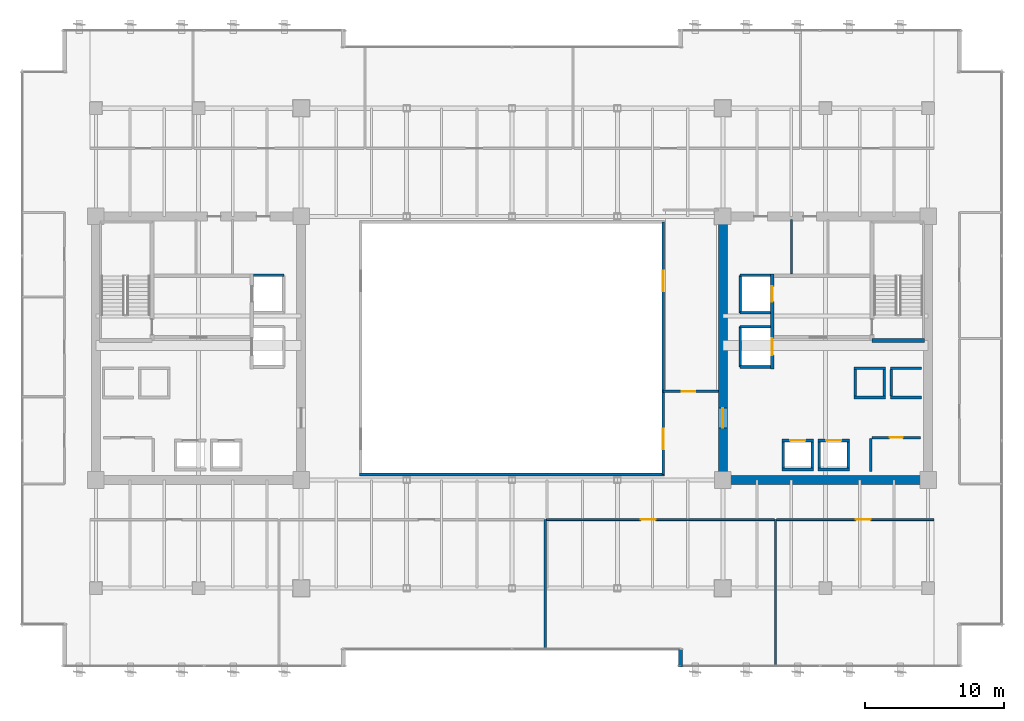
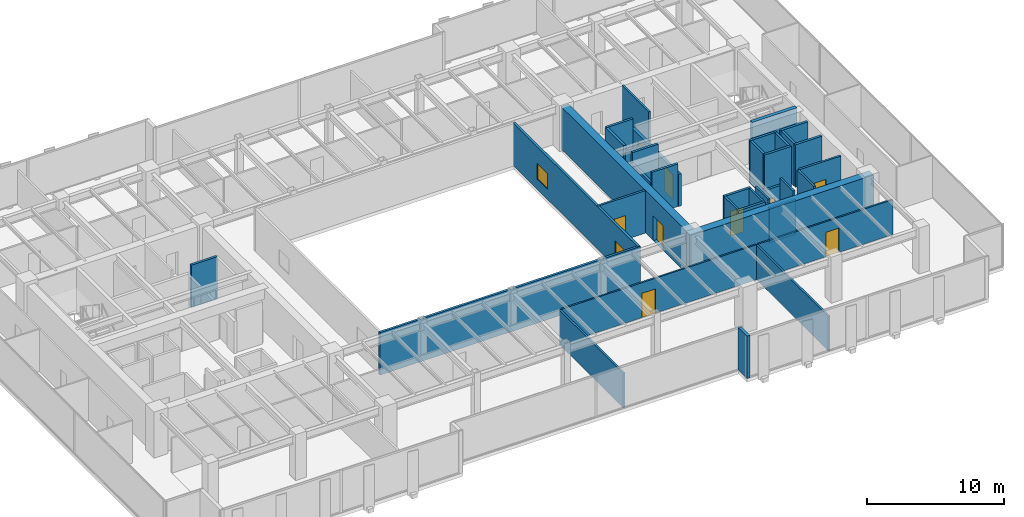
# One storey, part 26 of 34: 37 walls, 9 doors, 2 windows, 11 openings.
"""IFC4 building model written with IfcOpenShell, lengths in metres."""

from ifc_helpers import new_model, si_unit, direction, frame, frame_2d, origin, place, context, subcontext, project, spatial, rectangle, extrude, source, transform, mapped, material, layer, layer_set, type_object, type_shapes, element, fill, save


model = new_model("IFC4")

# Units and contexts
model_context = context("Model", 3, precision=1e-05, world=origin(), true_north=direction((0.0, 1.0)))
body_context = subcontext(model_context, "Body", "Model", "MODEL_VIEW")
ifc_project = project(units=[si_unit("LENGTHUNIT", "METRE"), si_unit("AREAUNIT", "SQUARE_METRE"), si_unit("VOLUMEUNIT", "CUBIC_METRE"), si_unit("PLANEANGLEUNIT", "RADIAN"), si_unit("MASSUNIT", "GRAM", prefix="KILO")], contexts=[model_context])

# Site, building, storey
site_placement = place(None, origin())
site = spatial("IfcSite", under=ifc_project, at=site_placement, CompositionType="ELEMENT")
building_placement = place(site_placement, origin())
building = spatial("IfcBuilding", under=site, at=building_placement, Name="Haelvirn Gate Laboratories", CompositionType="ELEMENT")
storey_placement = place(building_placement, frame((0.0, 0.0, 109.199951171875)))
storey = spatial("IfcBuildingStorey", under=building, at=storey_placement, Name="L26", CompositionType="ELEMENT", Elevation=109.199951171875)

# Walls
ifc_material_1 = material(Name="Thermally-broken bronze aluminium rainscreen & mineral wool", Category="aluminium")
ifc_layer_1 = layer(ifc_material_1, 0.280029296875, Name="EW-TERR-280")
ifc_layer_set_1 = layer_set([ifc_layer_1], Name="Thermally-broken bronze aluminium rainscreen & mineral wool")
wall_type_1 = type_object("IfcWallType", Name="EW-TERR-280", PredefinedType="STANDARD", material=ifc_layer_set_1)
wall_1_placement = place(storey_placement, frame((49.5400390625, 2.587890625, 0.0), z_axis=(0.0, 0.0, 1.0), x_axis=(0.0, -1.0, 0.0)))
element("IfcWall", 1, at=wall_1_placement, inside=storey, type_object=wall_type_1, Name="L26 Atrium Recess Bronze Return Wall 03", PredefinedType="STANDARD", context=body_context, shape_type="SweptSolid", body=[
    extrude(rectangle(XDim=1.287841796875, YDim=0.280029296875, at=frame_2d((0.64404296875, 0.0))), origin(), (0.0, 0.0, 1.0), 3.7900390625),
])
ifc_material_2 = material(Name="Double-layer acoustic gypsum laboratory partition", Category="gypsum")
ifc_layer_2 = layer(ifc_material_2, 0.159912109375, Name="IW-ACOUST-160")
ifc_layer_set_2 = layer_set([ifc_layer_2], Name="Double-layer acoustic gypsum laboratory partition")
wall_type_2 = type_object("IfcWallType", Name="IW-ACOUST-160", PredefinedType="PARTITIONING", material=ifc_layer_set_2)
wall_2_placement = place(storey_placement, frame((39.800048828125, 2.610107421875, 0.0), z_axis=(0.0, 0.0, 1.0), x_axis=(0.0, 1.0, 0.0)))
element("IfcWall", 2, at=wall_2_placement, inside=storey, type_object=wall_type_2, Name="L26 Interior Wall IW-L26-SDIV-02", PredefinedType="PARTITIONING", context=body_context, shape_type="SweptSolid", body=[
    extrude(rectangle(XDim=9.329833984375, YDim=0.159912109375, at=frame_2d((4.6650390625, 0.0))), origin(), (0.0, 0.0, 1.0), 3.074951171875),
])
wall_3_placement = place(storey_placement, frame((56.39990234375, 1.409912109375, 0.0), z_axis=(0.0, 0.0, 1.0), x_axis=(0.0, 1.0, 0.0)))
element("IfcWall", 3, at=wall_3_placement, inside=storey, type_object=wall_type_2, Name="L26 Interior Wall IW-L26-SDIV-03", PredefinedType="PARTITIONING", context=body_context, shape_type="SweptSolid", body=[
    extrude(rectangle(XDim=10.530029296875, YDim=0.159912109375, at=frame_2d((5.26513671875, 0.0))), origin(), (0.0, 0.0, 1.0), 3.074951171875),
])

# Wall, opening, door
ifc_material_3 = material(Name="Fire-rated acoustic gypsum board partition", Category="gypsum")
ifc_layer_3 = layer(ifc_material_3, 0.175048828125, Name="IW-ACOUST-180")
ifc_layer_set_3 = layer_set([ifc_layer_3], Name="Fire-rated acoustic gypsum board partition")
wall_type_3 = type_object("IfcWallType", Name="IW-ACOUST-180", PredefinedType="PARTITIONING", material=ifc_layer_set_3)
wall_4_placement = place(storey_placement, frame((48.300048828125, 21.179931640625, 0.0), z_axis=(0.0, 0.0, 1.0), x_axis=(1.0, 0.0, 0.0)))
wall_4 = element("IfcWall", 4, at=wall_4_placement, inside=storey, type_object=wall_type_3, Name="L26 Interior Wall IW-L26-ASEM-S", PredefinedType="PARTITIONING", context=body_context, shape_type="SweptSolid", body=[
    extrude(rectangle(XDim=3.974853515625, YDim=0.175048828125, at=frame_2d((1.9873046875, 0.0))), origin(), (0.0, 0.0, 1.0), 3.7900390625),
])
opening_1_placement = place(wall_4_placement, frame((1.35009765625, 0.0, 0.0)))
opening_1 = element("IfcOpeningElement", 5, at=opening_1_placement, cuts=wall_4, Name="Opening FD4", PredefinedType="OPENING", context=body_context, shape_type="SweptSolid", body=[
    extrude(rectangle(XDim=0.949951171875, YDim=2.14990234375, at=frame_2d((0.47509765625, 1.074951171875))), frame((0.0, 0.09765625, 0.0), z_axis=(0.0, -1.0, 0.0), x_axis=(1.0, 0.0, 0.0)), (0.0, 0.0, 1.0), 0.195068359375),
])
ifc_material_4 = material(Name="Fire-rated steel SM355 core service door", Category="steel")
door_type_1 = type_object("IfcDoorType", Name="DR-FD-950", OperationType="NOTDEFINED", PredefinedType="DOOR", material=ifc_material_4)
shared_shape_1 = source(origin(), body_context, "Body", "SweptSolid", [
    extrude(rectangle(XDim=0.949951171875, YDim=2.14990234375, at=frame_2d((0.47509765625, 1.074951171875))), frame((0.0, 0.02490234375, 0.0), z_axis=(0.0, -1.0, 0.0), x_axis=(1.0, 0.0, 0.0)), (0.0, 0.0, 1.0), 0.050048828125),
])
type_shapes(door_type_1, [shared_shape_1])
door_1_placement = place(opening_1_placement, origin())
door_1 = element("IfcDoor", 6, at=door_1_placement, inside=storey, type_object=door_type_1, Name="L26 Atrium Bioinformatics Suite Door", OperationType="SINGLE_SWING_LEFT", OverallHeight=2.14990234375, OverallWidth=0.949951171875, PredefinedType="DOOR", context=body_context, shape_type="MappedRepresentation", body=[
    mapped(shared_shape_1, transform((0.0, 0.0, 0.0), scale=1.0)),
])
fill(opening_1, door_1)

# Wall, openings, windows
ifc_material_5 = material(Name="Tempered fire-rated borosilicate glass & anodised aluminium", Category="aluminium")
ifc_layer_4 = layer(ifc_material_5, 0.195068359375, Name="IW-GLAZ-200")
ifc_layer_set_4 = layer_set([ifc_layer_4], Name="Tempered fire-rated borosilicate glass & anodised aluminium")
wall_type_4 = type_object("IfcWallType", Name="IW-GLAZ-200", PredefinedType="SOLIDWALL", material=ifc_layer_set_4)
wall_5_placement = place(storey_placement, frame((48.300048828125, 15.199951171875, 0.0), z_axis=(0.0, 0.0, 1.0), x_axis=(0.0, 1.0, 0.0)))
wall_5 = element("IfcWall", 7, at=wall_5_placement, inside=storey, type_object=wall_type_4, Name="L26 Interior Wall IW-L26-ATRIUM-E", PredefinedType="SOLIDWALL", context=body_context, shape_type="SweptSolid", body=[
    extrude(rectangle(XDim=18.199951171875, YDim=0.195068359375, at=frame_2d((9.10009765625, 0.0))), origin(), (0.0, 0.0, 1.0), 3.7900390625),
])
opening_2_placement = place(wall_5_placement, frame((1.800048828125, 0.0, 0.89990234375)))
opening_2 = element("IfcOpeningElement", 8, at=opening_2_placement, cuts=wall_5, Name="Opening W5", PredefinedType="OPENING", context=body_context, shape_type="SweptSolid", body=[
    extrude(rectangle(XDim=1.5, YDim=1.39990234375, at=frame_2d((0.75, 0.699951171875))), frame((0.0, 0.107421875, 0.0), z_axis=(0.0, -1.0, 0.0), x_axis=(1.0, 0.0, 0.0)), (0.0, 0.0, 1.0), 0.215087890625),
])
opening_3_placement = place(wall_5_placement, frame((13.199951171875, 0.0, 0.89990234375)))
opening_3 = element("IfcOpeningElement", 9, at=opening_3_placement, cuts=wall_5, Name="Opening W5", PredefinedType="OPENING", context=body_context, shape_type="SweptSolid", body=[
    extrude(rectangle(XDim=1.5, YDim=1.39990234375, at=frame_2d((0.75, 0.699951171875))), frame((0.0, 0.107421875, 0.0), z_axis=(0.0, -1.0, 0.0), x_axis=(1.0, 0.0, 0.0)), (0.0, 0.0, 1.0), 0.215087890625),
])
ifc_material_6 = material(Name="Fire-rated EI 120 borosilicate atrium vision glazing", Category="glass")
window_type = type_object("IfcWindowType", Name="WN-ATR-1500", PartitioningType="SINGLE_PANEL", PredefinedType="WINDOW", material=ifc_material_6)
shared_shape_2 = source(origin(), body_context, "Body", "SweptSolid", [
    extrude(rectangle(XDim=1.5, YDim=1.39990234375, at=frame_2d((0.75, 0.699951171875))), frame((0.0, 0.030029296875, 0.0), z_axis=(0.0, -1.0, 0.0), x_axis=(1.0, 0.0, 0.0)), (0.0, 0.0, 1.0), 0.06005859375),
])
type_shapes(window_type, [shared_shape_2])
window_1_placement = place(opening_2_placement, origin())
window_1 = element("IfcWindow", 10, at=window_1_placement, inside=storey, type_object=window_type, Name="L26 Atrium Observation Window 1", OverallHeight=1.39990234375, OverallWidth=1.5, PartitioningType="SINGLE_PANEL", PredefinedType="WINDOW", context=body_context, shape_type="MappedRepresentation", body=[
    mapped(shared_shape_2, transform((0.0, 0.0, 0.0), scale=1.0)),
])
fill(opening_2, window_1)
window_2_placement = place(opening_3_placement, origin())
window_2 = element("IfcWindow", 11, at=window_2_placement, inside=storey, type_object=window_type, Name="L26 Atrium Observation Window 2", OverallHeight=1.39990234375, OverallWidth=1.5, PartitioningType="SINGLE_PANEL", PredefinedType="WINDOW", context=body_context, shape_type="MappedRepresentation", body=[
    mapped(shared_shape_2, transform((0.0, 0.0, 0.0), scale=1.0)),
])
fill(opening_3, window_2)

# Wall
wall_6_placement = place(storey_placement, frame((26.39990234375, 15.199951171875, 0.0), z_axis=(0.0, 0.0, 1.0), x_axis=(1.0, 0.0, 0.0)))
element("IfcWall", 12, at=wall_6_placement, inside=storey, type_object=wall_type_4, Name="L26 Interior Wall IW-L26-ATRIUM-S", PredefinedType="SOLIDWALL", context=body_context, shape_type="SweptSolid", body=[
    extrude(rectangle(XDim=22.0, YDim=0.195068359375, at=frame_2d((11.0, 0.0))), origin(), (0.0, 0.0, 1.0), 3.7900390625),
])

# Wall, opening, door
ifc_material_7 = material(Name="Acoustic mineral-wool gypsum board partition", Category="gypsum")
ifc_layer_5 = layer(ifc_material_7, 0.139892578125, Name="IW-PART-140")
ifc_layer_set_5 = layer_set([ifc_layer_5], Name="Acoustic mineral-wool gypsum board partition")
wall_type_5 = type_object("IfcWallType", Name="IW-PART-140", PredefinedType="PARTITIONING", material=ifc_layer_set_5)
wall_7_placement = place(storey_placement, frame((39.8798828125, 11.93994140625, 0.0), z_axis=(0.0, 0.0, 1.0), x_axis=(1.0, 0.0, 0.0)))
wall_7 = element("IfcWall", 13, at=wall_7_placement, inside=storey, type_object=wall_type_5, Name="L26 Interior Wall IW-L26-SCORR-03", PredefinedType="PARTITIONING", context=body_context, shape_type="SweptSolid", body=[
    extrude(rectangle(XDim=16.440185546875, YDim=0.139892578125, at=frame_2d((8.22021484375, 0.0))), origin(), (0.0, 0.0, 1.0), 3.125),
])
opening_4_placement = place(wall_7_placement, frame((6.79150390625, 0.0, 0.0)))
opening_4 = element("IfcOpeningElement", 14, at=opening_4_placement, cuts=wall_7, Name="Opening D1", PredefinedType="OPENING", context=body_context, shape_type="SweptSolid", body=[
    extrude(rectangle(XDim=1.10009765625, YDim=2.179931640625, at=frame_2d((0.550048828125, 1.08984375))), frame((0.0, 0.080078125, 0.0), z_axis=(0.0, -1.0, 0.0), x_axis=(1.0, 0.0, 0.0)), (0.0, 0.0, 1.0), 0.159912109375),
])
ifc_material_8 = material(Name="Vision-panel acoustic solid-core timber lab door", Category="wood")
door_type_2 = type_object("IfcDoorType", Name="DR-LAB-1100", OperationType="NOTDEFINED", PredefinedType="DOOR", material=ifc_material_8)
shared_shape_3 = source(origin(), body_context, "Body", "SweptSolid", [
    extrude(rectangle(XDim=1.10009765625, YDim=2.179931640625, at=frame_2d((0.550048828125, 1.08984375))), frame((0.0, 0.02490234375, 0.0), z_axis=(0.0, -1.0, 0.0), x_axis=(1.0, 0.0, 0.0)), (0.0, 0.0, 1.0), 0.050048828125),
])
type_shapes(door_type_2, [shared_shape_3])
door_2_placement = place(opening_4_placement, origin())
door_2 = element("IfcDoor", 15, at=door_2_placement, inside=storey, type_object=door_type_2, Name="L26 Analytical Instrument Suite Door S3", OperationType="SINGLE_SWING_LEFT", OverallHeight=2.179931640625, OverallWidth=1.10009765625, PredefinedType="DOOR", context=body_context, shape_type="MappedRepresentation", body=[
    mapped(shared_shape_3, transform((0.0, 0.0, 0.0), scale=1.0)),
])
fill(opening_4, door_2)

wall_8_placement = place(storey_placement, frame((56.47998046875, 11.93994140625, 0.0), z_axis=(0.0, 0.0, 1.0), x_axis=(1.0, 0.0, 0.0)))
wall_8 = element("IfcWall", 16, at=wall_8_placement, inside=storey, type_object=wall_type_5, Name="L26 Interior Wall IW-L26-SCORR-04", PredefinedType="PARTITIONING", context=body_context, shape_type="SweptSolid", body=[
    extrude(rectangle(XDim=11.340087890625, YDim=0.139892578125, at=frame_2d((5.669921875, 0.0))), origin(), (0.0, 0.0, 1.0), 3.125),
])
opening_5_placement = place(wall_8_placement, frame((5.6923828125, 0.0, 0.0)))
opening_5 = element("IfcOpeningElement", 17, at=opening_5_placement, cuts=wall_8, Name="Opening D1", PredefinedType="OPENING", context=body_context, shape_type="SweptSolid", body=[
    extrude(rectangle(XDim=1.10009765625, YDim=2.179931640625, at=frame_2d((0.550048828125, 1.08984375))), frame((0.0, 0.080078125, 0.0), z_axis=(0.0, -1.0, 0.0), x_axis=(1.0, 0.0, 0.0)), (0.0, 0.0, 1.0), 0.159912109375),
])
door_3_placement = place(opening_5_placement, origin())
door_3 = element("IfcDoor", 18, at=door_3_placement, inside=storey, type_object=door_type_2, Name="L26 Cleanroom Metrology Suite Door S4", OperationType="SINGLE_SWING_RIGHT", OverallHeight=2.179931640625, OverallWidth=1.10009765625, PredefinedType="DOOR", context=body_context, shape_type="MappedRepresentation", body=[
    mapped(shared_shape_3, transform((0.0, 0.0, 0.0), scale=1.0)),
])
fill(opening_5, door_3)

# Walls
ifc_material_9 = material(Name="Cement-board restroom plumbing chase wall", Category="gypsum")
ifc_layer_6 = layer(ifc_material_9, 0.155029296875, Name="IW-PLUMB-160")
ifc_layer_set_6 = layer_set([ifc_layer_6], Name="Cement-board restroom plumbing chase wall")
wall_type_6 = type_object("IfcWallType", Name="IW-PLUMB-160", PredefinedType="PLUMBINGWALL", material=ifc_layer_set_6)
wall_9_placement = place(storey_placement, frame((57.56005859375, 29.64990234375, 0.0), z_axis=(0.0, 0.0, 1.0), x_axis=(0.0, 1.0, 0.0)))
element("IfcWall", 19, at=wall_9_placement, inside=storey, type_object=wall_type_6, Name="L26 Interior Wall IW-L26-E-CDIV-1", PredefinedType="PLUMBINGWALL", context=body_context, shape_type="SweptSolid", body=[
    extrude(rectangle(XDim=3.93017578125, YDim=0.155029296875, at=frame_2d((1.965087890625, 0.0))), origin(), (0.0, 0.0, 1.0), 3.7900390625),
])
ifc_material_10 = material(Name="Concrete C40/50", Category="concrete")
ifc_layer_7 = layer(ifc_material_10, 0.179931640625, Name="IW-SHAFT-180")
ifc_layer_set_7 = layer_set([ifc_layer_7], Name="Concrete C40/50")
wall_type_7 = type_object("IfcWallType", Name="IW-SHAFT-180", PredefinedType="SOLIDWALL", material=ifc_layer_set_7)
for number, where, z_axis, x_axis, name in (
    (20, (59.550048828125, 15.64990234375, 0.0), (0.0, 0.0, 1.0), (0.0, 1.0, 0.0), "L26 Interior Wall IW-L26-PL7-SD"),
    (21, (61.64990234375, 15.64990234375, 0.0), (0.0, 0.0, 1.0), (0.0, 1.0, 0.0), "L26 Interior Wall IW-L26-PL7-SDE"),
    (22, (56.949951171875, 15.64990234375, 0.0), (0.0, 0.0, 1.0), (0.0, 1.0, 0.0), "L26 Interior Wall IW-L26-PL8-SD"),
    (23, (59.050048828125, 15.64990234375, 0.0), (0.0, 0.0, 1.0), (0.0, 1.0, 0.0), "L26 Interior Wall IW-L26-PL8-SDE"),
):
    element("IfcWall", number, at=place(storey_placement, frame(where, z_axis=z_axis, x_axis=x_axis)), inside=storey, type_object=wall_type_7, Name=name, PredefinedType="SOLIDWALL", context=body_context, shape_type="SweptSolid", body=[
        extrude(rectangle(XDim=1.900146484375, YDim=0.179931640625, at=frame_2d((0.9501953125, 0.0))), origin(), (0.0, 0.0, 1.0), 3.7900390625),
    ])
for number, where, z_axis, x_axis, name in (
    (24, (64.75, 20.85009765625, 0.0), (0.0, 0.0, 1.0), (0.0, 1.0, 0.0), "L26 Interior Wall IW-L26-PL11-SD"),
    (25, (62.14990234375, 20.85009765625, 0.0), (0.0, 0.0, 1.0), (0.0, 1.0, 0.0), "L26 Interior Wall IW-L26-PL12-SD"),
    (26, (64.25, 20.85009765625, 0.0), (0.0, 0.0, 1.0), (0.0, 1.0, 0.0), "L26 Interior Wall IW-L26-PL12-SDE"),
):
    element("IfcWall", number, at=place(storey_placement, frame(where, z_axis=z_axis, x_axis=x_axis)), inside=storey, type_object=wall_type_7, Name=name, PredefinedType="SOLIDWALL", context=body_context, shape_type="SweptSolid", body=[
        extrude(rectangle(XDim=1.89990234375, YDim=0.179931640625, at=frame_2d((0.949951171875, 0.0))), origin(), (0.0, 0.0, 1.0), 3.7900390625),
    ])

# Wall, opening, door
wall_10_placement = place(storey_placement, frame((63.35009765625, 17.85009765625, 0.0), z_axis=(0.0, 0.0, 1.0), x_axis=(1.0, 0.0, 0.0)))
wall_10 = element("IfcWall", 27, at=wall_10_placement, inside=storey, type_object=wall_type_7, Name="L26 Interior Wall IW-L26-E-FREED-LN-1", PredefinedType="SOLIDWALL", context=body_context, shape_type="SweptSolid", body=[
    extrude(rectangle(XDim=3.5, YDim=0.179931640625, at=frame_2d((1.75, 0.0))), origin(), (0.0, 0.0, 1.0), 3.7900390625),
])
opening_6_placement = place(wall_10_placement, frame((1.27490234375, 0.0, 0.0)))
opening_6 = element("IfcOpeningElement", 28, at=opening_6_placement, cuts=wall_10, Name="Opening FD4", PredefinedType="OPENING", context=body_context, shape_type="SweptSolid", body=[
    extrude(rectangle(XDim=0.949951171875, YDim=2.14990234375, at=frame_2d((0.47509765625, 1.074951171875))), frame((0.0, 0.10009765625, 0.0), z_axis=(0.0, -1.0, 0.0), x_axis=(1.0, 0.0, 0.0)), (0.0, 0.0, 1.0), 0.199951171875),
])
door_4_placement = place(opening_6_placement, origin())
door_4 = element("IfcDoor", 29, at=door_4_placement, inside=storey, type_object=door_type_1, Name="L26 Core Calibration Room Door", OperationType="SINGLE_SWING_LEFT", OverallHeight=2.14990234375, OverallWidth=0.949951171875, PredefinedType="DOOR", context=body_context, shape_type="MappedRepresentation", body=[
    mapped(shared_shape_1, transform((0.0, 0.0, 0.0), scale=1.0)),
])
fill(opening_6, door_4)

# Walls
wall_11_placement = place(storey_placement, frame((63.260009765625, 15.39990234375, 0.0), z_axis=(0.0, 0.0, 1.0), x_axis=(0.0, 1.0, 0.0)))
element("IfcWall", 30, at=wall_11_placement, inside=storey, type_object=wall_type_7, Name="L26 Interior Wall IW-L26-E-FREED-LE-1", PredefinedType="SOLIDWALL", context=body_context, shape_type="SweptSolid", body=[
    extrude(rectangle(XDim=2.400146484375, YDim=0.179931640625, at=frame_2d((1.2001953125, 0.0))), origin(), (0.0, 0.0, 1.0), 3.7900390625),
])
ifc_layer_8 = layer(ifc_material_10, 0.199951171875, Name="IW-SHAFT-200")
ifc_layer_set_8 = layer_set([ifc_layer_8], Name="Concrete C40/50")
wall_type_8 = type_object("IfcWallType", Name="IW-SHAFT-200", PredefinedType="SOLIDWALL", material=ifc_layer_set_8)
wall_12_placement = place(storey_placement, frame((18.760009765625, 29.550048828125, 0.0), z_axis=(0.0, 0.0, 1.0), x_axis=(1.0, 0.0, 0.0)))
element("IfcWall", 31, at=wall_12_placement, inside=storey, type_object=wall_type_8, Name="L26 Interior Wall IW-L26-FL1-N", PredefinedType="SOLIDWALL", context=body_context, shape_type="SweptSolid", body=[
    extrude(rectangle(XDim=2.18994140625, YDim=0.199951171875, at=frame_2d((1.094970703125, 0.0))), origin(), (0.0, 0.0, 1.0), 3.7900390625),
])

# Wall, opening, door
wall_13_placement = place(storey_placement, frame((59.469970703125, 17.64990234375, 0.0), z_axis=(0.0, 0.0, 1.0), x_axis=(1.0, 0.0, 0.0)))
wall_13 = element("IfcWall", 32, at=wall_13_placement, inside=storey, type_object=wall_type_8, Name="L26 Interior Wall IW-L26-PL7-FR", PredefinedType="SOLIDWALL", context=body_context, shape_type="SweptSolid", body=[
    extrude(rectangle(XDim=2.260009765625, YDim=0.199951171875, at=frame_2d((1.1298828125, 0.0))), origin(), (0.0, 0.0, 1.0), 3.125),
])
opening_7_placement = place(wall_13_placement, frame((0.580078125, 0.0, 0.0)))
opening_7 = element("IfcOpeningElement", 33, at=opening_7_placement, cuts=wall_13, Name="Opening LD2", PredefinedType="OPENING", context=body_context, shape_type="SweptSolid", body=[
    extrude(rectangle(XDim=1.10009765625, YDim=2.219970703125, at=frame_2d((0.550048828125, 1.10986328125))), frame((0.0, 0.10986328125, 0.0), z_axis=(0.0, -1.0, 0.0), x_axis=(1.0, 0.0, 0.0)), (0.0, 0.0, 1.0), 0.219970703125),
])
ifc_material_11 = material(Name="Bronze stainless 316L sliding lift landing door")
door_type_3 = type_object("IfcDoorType", Name="DR-LD-1100", OperationType="NOTDEFINED", PredefinedType="USERDEFINED", material=ifc_material_11)
shared_shape_4 = source(origin(), body_context, "Body", "SweptSolid", [
    extrude(rectangle(XDim=1.10009765625, YDim=2.219970703125, at=frame_2d((0.550048828125, 1.10986328125))), frame((0.0, 0.02490234375, 0.0), z_axis=(0.0, -1.0, 0.0), x_axis=(1.0, 0.0, 0.0)), (0.0, 0.0, 1.0), 0.050048828125),
])
type_shapes(door_type_3, [shared_shape_4])
door_5_placement = place(opening_7_placement, origin())
door_5 = element("IfcDoor", 34, at=door_5_placement, inside=storey, type_object=door_type_3, Name="L26 Passenger Lift PL7 Landing Door", ObjectType="LANDING_DOOR", OperationType="SLIDING_TO_LEFT", OverallHeight=2.219970703125, OverallWidth=1.10009765625, PredefinedType="USERDEFINED", context=body_context, shape_type="MappedRepresentation", body=[
    mapped(shared_shape_4, transform((0.0, 0.0, 0.0), scale=1.0)),
])
fill(opening_7, door_5)

# Wall
wall_14_placement = place(storey_placement, frame((59.469970703125, 15.550048828125, 0.0), z_axis=(0.0, 0.0, 1.0), x_axis=(1.0, 0.0, 0.0)))
element("IfcWall", 35, at=wall_14_placement, inside=storey, type_object=wall_type_8, Name="L26 Interior Wall IW-L26-PL7-BK", PredefinedType="SOLIDWALL", context=body_context, shape_type="SweptSolid", body=[
    extrude(rectangle(XDim=2.260009765625, YDim=0.199951171875, at=frame_2d((1.1298828125, 0.0))), origin(), (0.0, 0.0, 1.0), 3.125),
])

# Wall, opening, door
wall_15_placement = place(storey_placement, frame((56.8701171875, 17.64990234375, 0.0), z_axis=(0.0, 0.0, 1.0), x_axis=(1.0, 0.0, 0.0)))
wall_15 = element("IfcWall", 36, at=wall_15_placement, inside=storey, type_object=wall_type_8, Name="L26 Interior Wall IW-L26-PL8-FR", PredefinedType="SOLIDWALL", context=body_context, shape_type="SweptSolid", body=[
    extrude(rectangle(XDim=2.259765625, YDim=0.199951171875, at=frame_2d((1.1298828125, 0.0))), origin(), (0.0, 0.0, 1.0), 3.7900390625),
])
opening_8_placement = place(wall_15_placement, frame((0.580078125, 0.0, 0.0)))
opening_8 = element("IfcOpeningElement", 37, at=opening_8_placement, cuts=wall_15, Name="Opening LD2", PredefinedType="OPENING", context=body_context, shape_type="SweptSolid", body=[
    extrude(rectangle(XDim=1.10009765625, YDim=2.219970703125, at=frame_2d((0.550048828125, 1.10986328125))), frame((0.0, 0.10986328125, 0.0), z_axis=(0.0, -1.0, 0.0), x_axis=(1.0, 0.0, 0.0)), (0.0, 0.0, 1.0), 0.219970703125),
])
door_6_placement = place(opening_8_placement, origin())
door_6 = element("IfcDoor", 38, at=door_6_placement, inside=storey, type_object=door_type_3, Name="L26 Passenger Lift PL8 Landing Door", ObjectType="LANDING_DOOR", OperationType="SLIDING_TO_RIGHT", OverallHeight=2.219970703125, OverallWidth=1.10009765625, PredefinedType="USERDEFINED", context=body_context, shape_type="MappedRepresentation", body=[
    mapped(shared_shape_4, transform((0.0, 0.0, 0.0), scale=1.0)),
])
fill(opening_8, door_6)

# Walls
wall_16_placement = place(storey_placement, frame((56.8701171875, 15.550048828125, 0.0), z_axis=(0.0, 0.0, 1.0), x_axis=(1.0, 0.0, 0.0)))
element("IfcWall", 39, at=wall_16_placement, inside=storey, type_object=wall_type_8, Name="L26 Interior Wall IW-L26-PL8-BK", PredefinedType="SOLIDWALL", context=body_context, shape_type="SweptSolid", body=[
    extrude(rectangle(XDim=2.259765625, YDim=0.199951171875, at=frame_2d((1.1298828125, 0.0))), origin(), (0.0, 0.0, 1.0), 3.7900390625),
])
for number, where, z_axis, x_axis, name in (
    (40, (64.669921875, 20.75, 0.0), (0.0, 0.0, 1.0), (1.0, 0.0, 0.0), "L26 Interior Wall IW-L26-PL11-FR"),
    (41, (64.669921875, 22.85009765625, 0.0), (0.0, 0.0, 1.0), (1.0, 0.0, 0.0), "L26 Interior Wall IW-L26-PL11-BK"),
    (42, (62.070068359375, 20.75, 0.0), (0.0, 0.0, 1.0), (1.0, 0.0, 0.0), "L26 Interior Wall IW-L26-PL12-FR"),
    (43, (62.070068359375, 22.85009765625, 0.0), (0.0, 0.0, 1.0), (1.0, 0.0, 0.0), "L26 Interior Wall IW-L26-PL12-BK"),
):
    element("IfcWall", number, at=place(storey_placement, frame(where, z_axis=z_axis, x_axis=x_axis)), inside=storey, type_object=wall_type_8, Name=name, PredefinedType="SOLIDWALL", context=body_context, shape_type="SweptSolid", body=[
        extrude(rectangle(XDim=2.260009765625, YDim=0.199951171875, at=frame_2d((1.1298828125, 0.0))), origin(), (0.0, 0.0, 1.0), 3.7900390625),
    ])
wall_17_placement = place(storey_placement, frame((53.85009765625, 26.85009765625, 0.0), z_axis=(0.0, 0.0, 1.0), x_axis=(0.0, 1.0, 0.0)))
element("IfcWall", 44, at=wall_17_placement, inside=storey, type_object=wall_type_8, Name="L26 Interior Wall IW-L26-FL2-BK", PredefinedType="SOLIDWALL", context=body_context, shape_type="SweptSolid", body=[
    extrude(rectangle(XDim=2.699951171875, YDim=0.199951171875, at=frame_2d((1.35009765625, 0.0))), origin(), (0.0, 0.0, 1.0), 3.7900390625),
])
wall_18_placement = place(storey_placement, frame((53.85009765625, 29.550048828125, 0.0), z_axis=(0.0, 0.0, 1.0), x_axis=(1.0, 0.0, 0.0)))
element("IfcWall", 45, at=wall_18_placement, inside=storey, type_object=wall_type_8, Name="L26 Interior Wall IW-L26-FL2-N", PredefinedType="SOLIDWALL", context=body_context, shape_type="SweptSolid", body=[
    extrude(rectangle(XDim=2.18994140625, YDim=0.199951171875, at=frame_2d((1.094970703125, 0.0))), origin(), (0.0, 0.0, 1.0), 3.7900390625),
])
wall_19_placement = place(storey_placement, frame((53.85009765625, 26.85009765625, 0.0), z_axis=(0.0, 0.0, 1.0), x_axis=(1.0, 0.0, 0.0)))
element("IfcWall", 46, at=wall_19_placement, inside=storey, type_object=wall_type_8, Name="L26 Interior Wall IW-L26-FL2-S", PredefinedType="SOLIDWALL", context=body_context, shape_type="SweptSolid", body=[
    extrude(rectangle(XDim=2.18994140625, YDim=0.199951171875, at=frame_2d((1.094970703125, 0.0))), origin(), (0.0, 0.0, 1.0), 3.18701171875),
])
wall_20_placement = place(storey_placement, frame((53.85009765625, 22.949951171875, 0.0), z_axis=(0.0, 0.0, 1.0), x_axis=(0.0, 1.0, 0.0)))
element("IfcWall", 47, at=wall_20_placement, inside=storey, type_object=wall_type_8, Name="L26 Interior Wall IW-L26-SL2-BK", PredefinedType="SOLIDWALL", context=body_context, shape_type="SweptSolid", body=[
    extrude(rectangle(XDim=2.900146484375, YDim=0.199951171875, at=frame_2d((1.4501953125, 0.0))), origin(), (0.0, 0.0, 1.0), 2.875),
])
for number, where, z_axis, x_axis, name in (
    (48, (53.85009765625, 25.85009765625, 0.0), (0.0, 0.0, 1.0), (1.0, 0.0, 0.0), "L26 Interior Wall IW-L26-SL2-N"),
    (49, (53.85009765625, 22.949951171875, 0.0), (0.0, 0.0, 1.0), (1.0, 0.0, 0.0), "L26 Interior Wall IW-L26-SL2-S"),
):
    element("IfcWall", number, at=place(storey_placement, frame(where, z_axis=z_axis, x_axis=x_axis)), inside=storey, type_object=wall_type_8, Name=name, PredefinedType="SOLIDWALL", context=body_context, shape_type="SweptSolid", body=[
        extrude(rectangle(XDim=2.18994140625, YDim=0.199951171875, at=frame_2d((1.094970703125, 0.0))), origin(), (0.0, 0.0, 1.0), 3.7900390625),
    ])

# Wall, openings, doors
ifc_layer_9 = layer(ifc_material_10, 0.239990234375, Name="IW-SHAFT-240")
ifc_layer_set_9 = layer_set([ifc_layer_9], Name="Concrete C40/50")
wall_type_9 = type_object("IfcWallType", Name="IW-SHAFT-240", PredefinedType="SOLIDWALL", material=ifc_layer_set_9)
wall_21_placement = place(storey_placement, frame((56.159912109375, 22.800048828125, 0.0), z_axis=(0.0, 0.0, 1.0), x_axis=(0.0, 1.0, 0.0)))
wall_21 = element("IfcWall", 50, at=wall_21_placement, inside=storey, type_object=wall_type_9, Name="L26 Interior Wall IW-L26-E-FF-E", PredefinedType="SOLIDWALL", context=body_context, shape_type="SweptSolid", body=[
    extrude(rectangle(XDim=6.849853515625, YDim=0.239990234375, at=frame_2d((3.4248046875, 0.0))), origin(), (0.0, 0.0, 1.0), 2.875),
])
opening_9_placement = place(wall_21_placement, frame((4.85009765625, 0.0, 0.0)))
opening_9 = element("IfcOpeningElement", 51, at=opening_9_placement, cuts=wall_21, Name="Opening LD2", PredefinedType="OPENING", context=body_context, shape_type="SweptSolid", body=[
    extrude(rectangle(XDim=1.10009765625, YDim=2.219970703125, at=frame_2d((0.550048828125, 1.10986328125))), frame((0.0, 0.1298828125, 0.0), z_axis=(0.0, -1.0, 0.0), x_axis=(1.0, 0.0, 0.0)), (0.0, 0.0, 1.0), 0.260009765625),
])
opening_10_placement = place(wall_21_placement, frame((1.0, 0.0, 0.0)))
opening_10 = element("IfcOpeningElement", 52, at=opening_10_placement, cuts=wall_21, Name="Opening LD1", PredefinedType="OPENING", context=body_context, shape_type="SweptSolid", body=[
    extrude(rectangle(XDim=1.199951171875, YDim=2.219970703125, at=frame_2d((0.60009765625, 1.10986328125))), frame((0.0, 0.1298828125, 0.0), z_axis=(0.0, -1.0, 0.0), x_axis=(1.0, 0.0, 0.0)), (0.0, 0.0, 1.0), 0.260009765625),
])
door_7_placement = place(opening_9_placement, origin())
door_7 = element("IfcDoor", 53, at=door_7_placement, inside=storey, type_object=door_type_3, Name="L26 Firefighting Lift FL2 Landing Door", ObjectType="LANDING_DOOR", OperationType="SLIDING_TO_RIGHT", OverallHeight=2.219970703125, OverallWidth=1.10009765625, PredefinedType="USERDEFINED", context=body_context, shape_type="MappedRepresentation", body=[
    mapped(shared_shape_4, transform((0.0, 0.0, 0.0), scale=1.0)),
])
fill(opening_9, door_7)
ifc_material_12 = material(Name="Stainless steel 316L sliding goods landing door", Category="steel")
door_type_4 = type_object("IfcDoorType", Name="DR-LD-1200", OperationType="NOTDEFINED", PredefinedType="USERDEFINED", material=ifc_material_12)
shared_shape_5 = source(origin(), body_context, "Body", "SweptSolid", [
    extrude(rectangle(XDim=1.199951171875, YDim=2.219970703125, at=frame_2d((0.60009765625, 1.10986328125))), frame((0.0, 0.02490234375, 0.0), z_axis=(0.0, -1.0, 0.0), x_axis=(1.0, 0.0, 0.0)), (0.0, 0.0, 1.0), 0.050048828125),
])
type_shapes(door_type_4, [shared_shape_5])
door_8_placement = place(opening_10_placement, origin())
door_8 = element("IfcDoor", 54, at=door_8_placement, inside=storey, type_object=door_type_4, Name="L26 Service Lift SL2 Landing Door", ObjectType="LANDING_DOOR", OperationType="SLIDING_TO_LEFT", OverallHeight=2.219970703125, OverallWidth=1.199951171875, PredefinedType="USERDEFINED", context=body_context, shape_type="MappedRepresentation", body=[
    mapped(shared_shape_5, transform((0.0, 0.0, 0.0), scale=1.0)),
])
fill(opening_10, door_8)

# Wall
ifc_material_13 = material(Name="Concrete C60/75", Category="concrete")
ifc_layer_10 = layer(ifc_material_13, 0.64990234375, Name="SW-CORE-650")
ifc_layer_set_10 = layer_set([ifc_layer_10], Name="Concrete C60/75")
wall_type_10 = type_object("IfcWallType", Name="SW-CORE-650", PredefinedType="SHEAR", material=ifc_layer_set_10)
wall_22_placement = place(storey_placement, frame((52.27490234375, 14.800048828125, 0.0), z_axis=(0.0, 0.0, 1.0), x_axis=(1.0, 0.0, 0.0)))
element("IfcWall", 55, at=wall_22_placement, inside=storey, type_object=wall_type_10, Name="L26 E Core Shear Wall S", PredefinedType="SHEAR", context=body_context, shape_type="SweptSolid", body=[
    extrude(rectangle(XDim=15.4501953125, YDim=0.64990234375, at=frame_2d((7.72509765625, 0.0))), origin(), (0.0, 0.0, 1.0), 3.7900390625),
])

# Wall, opening, door
wall_23_placement = place(storey_placement, frame((52.60009765625, 15.125, 0.0), z_axis=(0.0, 0.0, 1.0), x_axis=(0.0, 1.0, 0.0)))
wall_23 = element("IfcWall", 56, at=wall_23_placement, inside=storey, type_object=wall_type_10, Name="L26 E Core Shear Wall W", PredefinedType="SHEAR", context=body_context, shape_type="SweptSolid", body=[
    extrude(rectangle(XDim=18.35009765625, YDim=0.64990234375, at=frame_2d((9.175048828125, 0.0))), origin(), (0.0, 0.0, 1.0), 3.7900390625),
])
opening_11_placement = place(wall_23_placement, frame((3.425048828125, 0.0, 0.0)))
opening_11 = element("IfcOpeningElement", 57, at=opening_11_placement, cuts=wall_23, Name="Opening FD1", PredefinedType="OPENING", context=body_context, shape_type="SweptSolid", body=[
    extrude(rectangle(XDim=1.419921875, YDim=2.199951171875, at=frame_2d((0.7099609375, 1.10009765625))), frame((0.0, 0.3349609375, 0.0), z_axis=(0.0, -1.0, 0.0), x_axis=(1.0, 0.0, 0.0)), (0.0, 0.0, 1.0), 0.669921875),
])
ifc_material_14 = material(Name="Fire-rated double steel SM355 lobby door", Category="steel")
door_type_5 = type_object("IfcDoorType", Name="DR-FD-1400", OperationType="NOTDEFINED", PredefinedType="DOOR", material=ifc_material_14)
shared_shape_6 = source(origin(), body_context, "Body", "SweptSolid", [
    extrude(rectangle(XDim=1.419921875, YDim=2.199951171875, at=frame_2d((0.7099609375, 1.10009765625))), frame((0.0, 0.02490234375, 0.0), z_axis=(0.0, -1.0, 0.0), x_axis=(1.0, 0.0, 0.0)), (0.0, 0.0, 1.0), 0.050048828125),
])
type_shapes(door_type_5, [shared_shape_6])
door_9_placement = place(opening_11_placement, origin())
door_9 = element("IfcDoor", 58, at=door_9_placement, inside=storey, type_object=door_type_5, Name="L26 East Core Lift Lobby Fire Door", OperationType="DOUBLE_DOOR_SINGLE_SWING", OverallHeight=2.199951171875, OverallWidth=1.419921875, PredefinedType="DOOR", context=body_context, shape_type="MappedRepresentation", body=[
    mapped(shared_shape_6, transform((0.0, 0.0, 0.0), scale=1.0)),
])
fill(opening_11, door_9)

# Wall
ifc_material_15 = material(Name="Concrete C50/60", Category="concrete")
ifc_layer_11 = layer(ifc_material_15, 0.300048828125, Name="SW-STAIR-300")
ifc_layer_set_11 = layer_set([ifc_layer_11], Name="Concrete C50/60")
wall_type_11 = type_object("IfcWallType", Name="SW-STAIR-300", PredefinedType="SHEAR", material=ifc_layer_set_11)
wall_24_placement = place(storey_placement, frame((63.35009765625, 24.85009765625, 0.0), z_axis=(0.0, 0.0, 1.0), x_axis=(1.0, 0.0, 0.0)))
element("IfcWall", 59, at=wall_24_placement, inside=storey, type_object=wall_type_11, Name="L26 E Core Stair Shaft Structural Wall S", PredefinedType="SHEAR", context=body_context, shape_type="SweptSolid", body=[
    extrude(rectangle(XDim=3.7998046875, YDim=0.300048828125, at=frame_2d((1.89990234375, 0.0))), origin(), (0.0, 0.0, 1.0), 3.7900390625),
])

save(model, "model.ifc")
